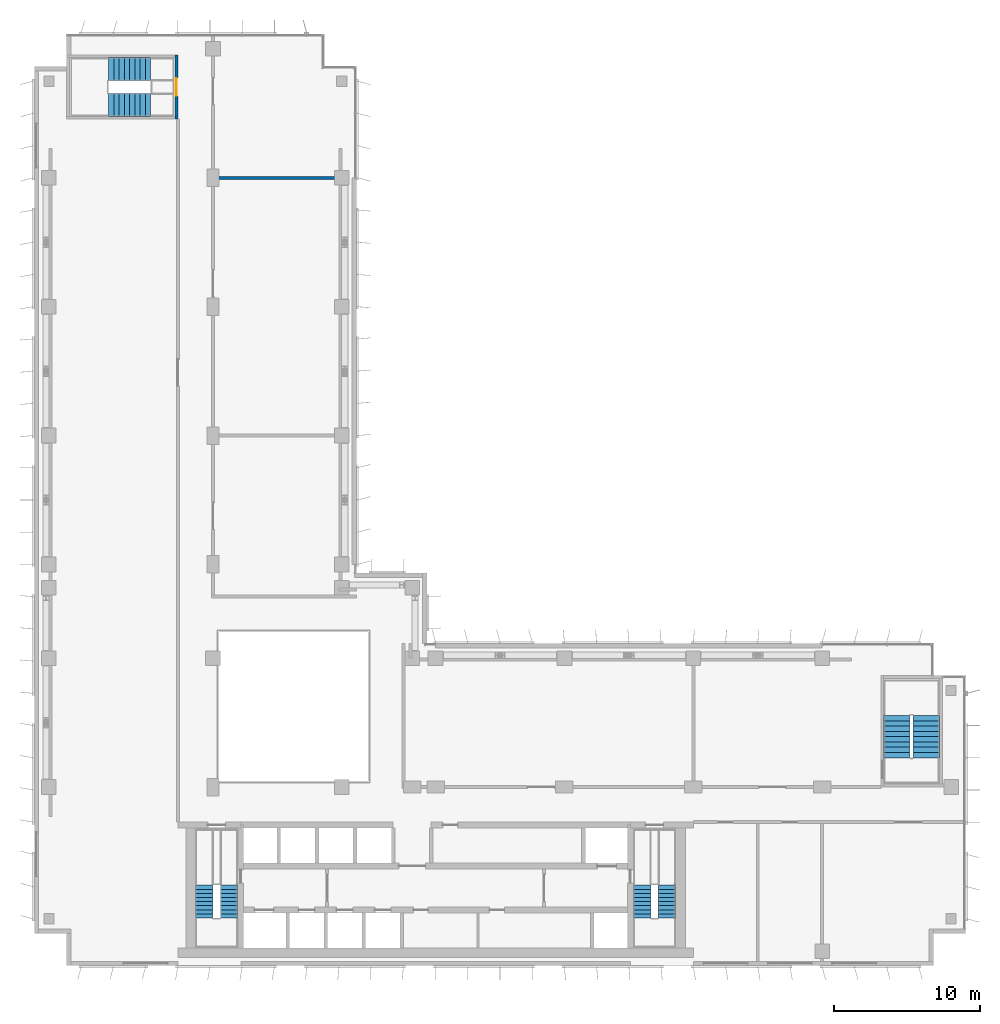
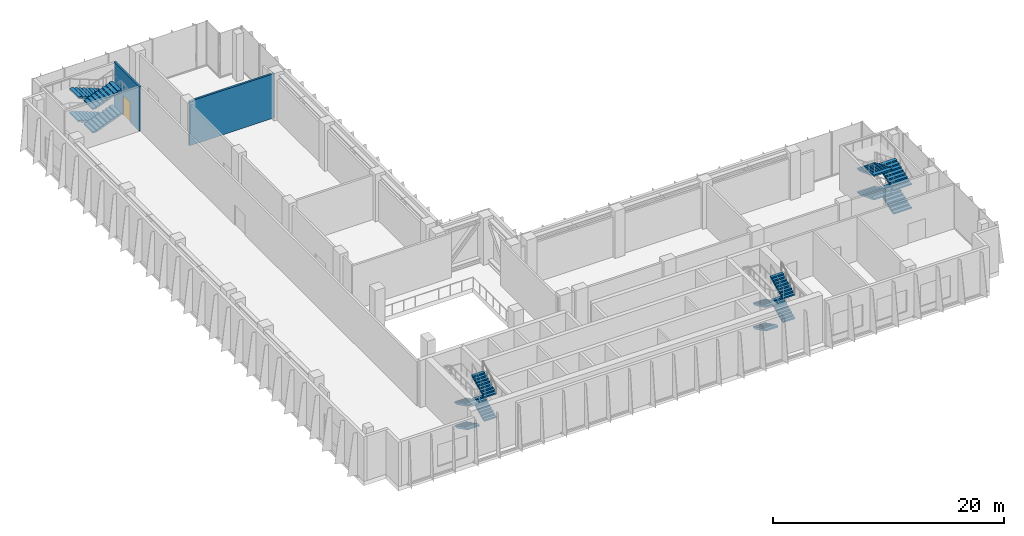
# One storey, part 13 of 17: 16 stair flights, 2 walls, 1 door, 1 opening, 4 elements without a shape of their own.
"""IFC4 building model written with IfcOpenShell, lengths in metres."""

from ifc_helpers import new_model, si_unit, direction, frame, frame_2d, origin, place, context, subcontext, project, spatial, polyline, rectangle, outline, extrude, material, layer, layer_set, type_object, element, fill, aggregate, save


model = new_model("IFC4")

# Units and contexts
model_context = context("Model", 3, precision=1e-05, world=origin(), true_north=direction((0.0, 1.0)))
body_context = subcontext(model_context, "Body", "Model", "MODEL_VIEW")
ifc_project = project(units=[si_unit("LENGTHUNIT", "METRE"), si_unit("AREAUNIT", "SQUARE_METRE"), si_unit("VOLUMEUNIT", "CUBIC_METRE"), si_unit("PLANEANGLEUNIT", "RADIAN"), si_unit("MASSUNIT", "GRAM", prefix="KILO")], contexts=[model_context])

# Site, building, storey
site_placement = place(None, origin())
site = spatial("IfcSite", under=ifc_project, at=site_placement, CompositionType="ELEMENT")
building_placement = place(site_placement, origin())
building = spatial("IfcBuilding", under=site, at=building_placement, Name="Kemantara Hotel Tower", CompositionType="ELEMENT")
storey_placement = place(building_placement, frame((0.0, 0.0, 193.800048828125)))
storey = spatial("IfcBuildingStorey", under=building, at=storey_placement, Name="L48", CompositionType="ELEMENT", Elevation=193.800048828125)

# Wall, opening, door
ifc_material_1 = material(Name="Concrete fc 40 MPa", Category="concrete")
ifc_layer_1 = layer(ifc_material_1, 0.199951171875)
ifc_layer_set_1 = layer_set([ifc_layer_1], Name="Concrete fc 40 MPa")
wall_type_1 = type_object("IfcWallType", Name="Concrete stair wall 200 mm", PredefinedType="SHEAR", material=ifc_layer_set_1)
wall_1_placement = place(storey_placement, frame((9.699951171875, 57.800048828125, 0.0), z_axis=(0.0, 0.0, 1.0), x_axis=(0.0, 1.0, 0.0)))
wall_1 = element("IfcWall", 1, at=wall_1_placement, inside=storey, type_object=wall_type_1, Name="Stair ST4 enclosure wall with door", PredefinedType="SHEAR", context=body_context, shape_type="SweptSolid", body=[
    extrude(rectangle(XDim=4.39990234375, YDim=0.199951171875, at=frame_2d((2.199951171875, 0.0))), origin(), (0.0, 0.0, 1.0), 4.699951171875),
])
opening_placement = place(wall_1_placement, frame((1.60009765625, 0.0, 0.0)))
opening = element("IfcOpeningElement", 2, at=opening_placement, cuts=wall_1, Name="Opening ST4-C", PredefinedType="OPENING", context=body_context, shape_type="SweptSolid", body=[
    extrude(rectangle(XDim=1.199951171875, YDim=2.10009765625, at=frame_2d((0.60009765625, 1.050048828125))), frame((0.0, 0.10986328125, 0.0), z_axis=(0.0, -1.0, 0.0), x_axis=(1.0, 0.0, 0.0)), (0.0, 0.0, 1.0), 0.219970703125),
])
ifc_material_2 = material(Name="Steel fire door", Category="steel")
door_type = type_object("IfcDoorType", Name="Fire door FD90 1200 x 2100", OperationType="NOTDEFINED", PredefinedType="DOOR", material=ifc_material_2)
door_placement = place(opening_placement, origin())
door = element("IfcDoor", 3, at=door_placement, inside=storey, type_object=door_type, Name="Stair ST4 door", OperationType="SINGLE_SWING_RIGHT", OverallHeight=2.10009765625, OverallWidth=1.199951171875, PredefinedType="DOOR", context=body_context, shape_type="SweptSolid", body=[
    extrude(rectangle(XDim=1.199951171875, YDim=2.10009765625, at=frame_2d((0.60009765625, 1.050048828125))), frame((0.0, 0.02490234375, 0.0), z_axis=(0.0, -1.0, 0.0), x_axis=(1.0, 0.0, 0.0)), (0.0, 0.0, 1.0), 0.050048828125),
])
fill(opening, door)

# Wall
ifc_material_3 = material(Name="Clay brick masonry", Category="masonry")
ifc_layer_2 = layer(ifc_material_3, 0.199951171875)
ifc_layer_set_2 = layer_set([ifc_layer_2], Name="Clay brick masonry")
wall_type_2 = type_object("IfcWallType", Name="FIRE-RATED CLAY BRICK WALL 200 EI 120", PredefinedType="PARTITIONING", material=ifc_layer_set_2)
wall_2_placement = place(storey_placement, frame((12.300048828125, 53.800048828125, 0.0), z_axis=(0.0, 0.0, 1.0), x_axis=(1.0, 0.0, 0.0)))
element("IfcWall", 4, at=wall_2_placement, inside=storey, type_object=wall_type_2, Name="FIRE WALL", PredefinedType="PARTITIONING", context=body_context, shape_type="SweptSolid", body=[
    extrude(rectangle(XDim=8.5, YDim=0.199951171875, at=frame_2d((4.25, 0.0))), origin(), (0.0, 0.0, 1.0), 4.699951171875),
])

# Stair, stair flights
stair_type_1 = type_object("IfcStairType", Name="Stair 1200 wide 36 risers of 139 x 280 mm", PredefinedType="HALF_TURN_STAIR", material=ifc_material_1)
stair_1_placement = place(storey_placement, origin())
stair_1 = element("IfcStair", 5, at=stair_1_placement, inside=storey, type_object=stair_type_1, Name="L48 Exit stair ST1", PredefinedType="HALF_TURN_STAIR")
stair_flight_type_1 = type_object("IfcStairFlightType", Name="Stair flight 1200 wide 139 x 280 mm", PredefinedType="STRAIGHT", material=ifc_material_1)
stair_flight_1_placement = place(storey_placement, frame((11.60009765625, 5.5, 0.0), z_axis=(0.0, 0.0, 1.0), x_axis=(0.0, -1.0, 0.0)))
stair_flight_1 = element("IfcStairFlight", 6, at=stair_flight_1_placement, type_object=stair_flight_type_1, Name="ST1 flight 1", NumberOfRisers=9, NumberOfTreads=8, PredefinedType="STRAIGHT", RiserHeight=0.138888889, TreadLength=0.28, context=body_context, shape_type="SweptSolid", body=[
    extrude(outline(polyline([(0.0, 0.0), (0.0, 0.138916015625), (0.280029296875, 0.138916015625), (0.280029296875, 0.27783203125), (0.56005859375, 0.27783203125), (0.56005859375, 0.416748046875), (0.840087890625, 0.416748046875), (0.840087890625, 0.5556640625), (1.1201171875, 0.5556640625), (1.1201171875, 0.6943359375), (1.39990234375, 0.6943359375), (1.39990234375, 0.833251953125), (1.679931640625, 0.833251953125), (1.679931640625, 0.97216796875), (1.9599609375, 0.97216796875), (1.9599609375, 1.111083984375), (2.239990234375, 1.111083984375), (2.239990234375, 1.25), (2.239990234375, 0.94384765625), (0.33740234375, 0.0), (0.0, 0.0)])), frame((0.0, 0.60009765625, 0.0), z_axis=(0.0, -1.0, 0.0), x_axis=(1.0, 0.0, 0.0)), (0.0, 0.0, 1.0), 1.199951171875),
])
stair_flight_2_placement = place(storey_placement, frame((13.300048828125, 3.260009765625, 1.25), z_axis=(0.0, 0.0, 1.0), x_axis=(0.0, 1.0, 0.0)))
stair_flight_2 = element("IfcStairFlight", 7, at=stair_flight_2_placement, type_object=stair_flight_type_1, Name="ST1 flight 2", NumberOfRisers=9, NumberOfTreads=8, PredefinedType="STRAIGHT", RiserHeight=0.138888889, TreadLength=0.28, context=body_context, shape_type="SweptSolid", body=[
    extrude(outline(polyline([(0.0, 0.0), (0.0, 0.138916015625), (0.280029296875, 0.138916015625), (0.280029296875, 0.27783203125), (0.56005859375, 0.27783203125), (0.56005859375, 0.416748046875), (0.840087890625, 0.416748046875), (0.840087890625, 0.5556640625), (1.1201171875, 0.5556640625), (1.1201171875, 0.6943359375), (1.39990234375, 0.6943359375), (1.39990234375, 0.833251953125), (1.679931640625, 0.833251953125), (1.679931640625, 0.97216796875), (1.9599609375, 0.97216796875), (1.9599609375, 1.111083984375), (2.239990234375, 1.111083984375), (2.239990234375, 1.25), (2.239990234375, 0.94384765625), (0.33740234375, 0.0), (0.0, 0.0)])), frame((0.0, 0.60009765625, 0.0), z_axis=(0.0, -1.0, 0.0), x_axis=(1.0, 0.0, 0.0)), (0.0, 0.0, 1.0), 1.199951171875),
])
stair_flight_3_placement = place(storey_placement, frame((11.60009765625, 5.5, 2.5), z_axis=(0.0, 0.0, 1.0), x_axis=(0.0, -1.0, 0.0)))
stair_flight_3 = element("IfcStairFlight", 8, at=stair_flight_3_placement, type_object=stair_flight_type_1, Name="ST1 flight 3", NumberOfRisers=9, NumberOfTreads=8, PredefinedType="STRAIGHT", RiserHeight=0.138888889, TreadLength=0.28, context=body_context, shape_type="SweptSolid", body=[
    extrude(outline(polyline([(0.0, 0.0), (0.0, 0.138916015625), (0.280029296875, 0.138916015625), (0.280029296875, 0.27783203125), (0.56005859375, 0.27783203125), (0.56005859375, 0.416748046875), (0.840087890625, 0.416748046875), (0.840087890625, 0.5556640625), (1.1201171875, 0.5556640625), (1.1201171875, 0.6943359375), (1.39990234375, 0.6943359375), (1.39990234375, 0.833251953125), (1.679931640625, 0.833251953125), (1.679931640625, 0.97216796875), (1.9599609375, 0.97216796875), (1.9599609375, 1.111083984375), (2.239990234375, 1.111083984375), (2.239990234375, 1.25), (2.239990234375, 0.94384765625), (0.33740234375, 0.0), (0.0, 0.0)])), frame((0.0, 0.60009765625, 0.0), z_axis=(0.0, -1.0, 0.0), x_axis=(1.0, 0.0, 0.0)), (0.0, 0.0, 1.0), 1.199951171875),
])
stair_flight_4_placement = place(storey_placement, frame((13.300048828125, 3.260009765625, 3.75), z_axis=(0.0, 0.0, 1.0), x_axis=(0.0, 1.0, 0.0)))
stair_flight_4 = element("IfcStairFlight", 9, at=stair_flight_4_placement, type_object=stair_flight_type_1, Name="ST1 flight 4", NumberOfRisers=9, NumberOfTreads=8, PredefinedType="STRAIGHT", RiserHeight=0.138888889, TreadLength=0.28, context=body_context, shape_type="SweptSolid", body=[
    extrude(outline(polyline([(0.0, 0.0), (0.0, 0.138916015625), (0.280029296875, 0.138916015625), (0.280029296875, 0.27783203125), (0.56005859375, 0.27783203125), (0.56005859375, 0.416748046875), (0.840087890625, 0.416748046875), (0.840087890625, 0.5556640625), (1.1201171875, 0.5556640625), (1.1201171875, 0.6943359375), (1.39990234375, 0.6943359375), (1.39990234375, 0.833251953125), (1.679931640625, 0.833251953125), (1.679931640625, 0.97216796875), (1.9599609375, 0.97216796875), (1.9599609375, 1.111083984375), (2.239990234375, 1.111083984375), (2.239990234375, 1.25), (2.239990234375, 0.94384765625), (0.33740234375, 0.0), (0.0, 0.0)])), frame((0.0, 0.60009765625, 0.0), z_axis=(0.0, -1.0, 0.0), x_axis=(1.0, 0.0, 0.0)), (0.0, 0.0, 1.0), 1.199951171875),
])
aggregate(stair_1, [stair_flight_1, stair_flight_2, stair_flight_3, stair_flight_4])

stair_2_placement = place(storey_placement, origin())
stair_2 = element("IfcStair", 10, at=stair_2_placement, inside=storey, type_object=stair_type_1, Name="L48 Exit stair ST2", PredefinedType="HALF_TURN_STAIR")
stair_flight_5_placement = place(storey_placement, frame((41.5, 5.5, 0.0), z_axis=(0.0, 0.0, 1.0), x_axis=(0.0, -1.0, 0.0)))
stair_flight_5 = element("IfcStairFlight", 11, at=stair_flight_5_placement, type_object=stair_flight_type_1, Name="ST2 flight 1", NumberOfRisers=9, NumberOfTreads=8, PredefinedType="STRAIGHT", RiserHeight=0.138888889, TreadLength=0.28, context=body_context, shape_type="SweptSolid", body=[
    extrude(outline(polyline([(0.0, 0.0), (0.0, 0.138916015625), (0.280029296875, 0.138916015625), (0.280029296875, 0.27783203125), (0.56005859375, 0.27783203125), (0.56005859375, 0.416748046875), (0.840087890625, 0.416748046875), (0.840087890625, 0.5556640625), (1.1201171875, 0.5556640625), (1.1201171875, 0.6943359375), (1.39990234375, 0.6943359375), (1.39990234375, 0.833251953125), (1.679931640625, 0.833251953125), (1.679931640625, 0.97216796875), (1.9599609375, 0.97216796875), (1.9599609375, 1.111083984375), (2.239990234375, 1.111083984375), (2.239990234375, 1.25), (2.239990234375, 0.94384765625), (0.33740234375, 0.0), (0.0, 0.0)])), frame((0.0, 0.60009765625, 0.0), z_axis=(0.0, -1.0, 0.0), x_axis=(1.0, 0.0, 0.0)), (0.0, 0.0, 1.0), 1.199951171875),
])
stair_flight_6_placement = place(storey_placement, frame((43.199951171875, 3.260009765625, 1.25), z_axis=(0.0, 0.0, 1.0), x_axis=(0.0, 1.0, 0.0)))
stair_flight_6 = element("IfcStairFlight", 12, at=stair_flight_6_placement, type_object=stair_flight_type_1, Name="ST2 flight 2", NumberOfRisers=9, NumberOfTreads=8, PredefinedType="STRAIGHT", RiserHeight=0.138888889, TreadLength=0.28, context=body_context, shape_type="SweptSolid", body=[
    extrude(outline(polyline([(0.0, 0.0), (0.0, 0.138916015625), (0.280029296875, 0.138916015625), (0.280029296875, 0.27783203125), (0.56005859375, 0.27783203125), (0.56005859375, 0.416748046875), (0.840087890625, 0.416748046875), (0.840087890625, 0.5556640625), (1.1201171875, 0.5556640625), (1.1201171875, 0.6943359375), (1.39990234375, 0.6943359375), (1.39990234375, 0.833251953125), (1.679931640625, 0.833251953125), (1.679931640625, 0.97216796875), (1.9599609375, 0.97216796875), (1.9599609375, 1.111083984375), (2.239990234375, 1.111083984375), (2.239990234375, 1.25), (2.239990234375, 0.94384765625), (0.33740234375, 0.0), (0.0, 0.0)])), frame((0.0, 0.60009765625, 0.0), z_axis=(0.0, -1.0, 0.0), x_axis=(1.0, 0.0, 0.0)), (0.0, 0.0, 1.0), 1.199951171875),
])
stair_flight_7_placement = place(storey_placement, frame((41.5, 5.5, 2.5), z_axis=(0.0, 0.0, 1.0), x_axis=(0.0, -1.0, 0.0)))
stair_flight_7 = element("IfcStairFlight", 13, at=stair_flight_7_placement, type_object=stair_flight_type_1, Name="ST2 flight 3", NumberOfRisers=9, NumberOfTreads=8, PredefinedType="STRAIGHT", RiserHeight=0.138888889, TreadLength=0.28, context=body_context, shape_type="SweptSolid", body=[
    extrude(outline(polyline([(0.0, 0.0), (0.0, 0.138916015625), (0.280029296875, 0.138916015625), (0.280029296875, 0.27783203125), (0.56005859375, 0.27783203125), (0.56005859375, 0.416748046875), (0.840087890625, 0.416748046875), (0.840087890625, 0.5556640625), (1.1201171875, 0.5556640625), (1.1201171875, 0.6943359375), (1.39990234375, 0.6943359375), (1.39990234375, 0.833251953125), (1.679931640625, 0.833251953125), (1.679931640625, 0.97216796875), (1.9599609375, 0.97216796875), (1.9599609375, 1.111083984375), (2.239990234375, 1.111083984375), (2.239990234375, 1.25), (2.239990234375, 0.94384765625), (0.33740234375, 0.0), (0.0, 0.0)])), frame((0.0, 0.60009765625, 0.0), z_axis=(0.0, -1.0, 0.0), x_axis=(1.0, 0.0, 0.0)), (0.0, 0.0, 1.0), 1.199951171875),
])
stair_flight_8_placement = place(storey_placement, frame((43.199951171875, 3.260009765625, 3.75), z_axis=(0.0, 0.0, 1.0), x_axis=(0.0, 1.0, 0.0)))
stair_flight_8 = element("IfcStairFlight", 14, at=stair_flight_8_placement, type_object=stair_flight_type_1, Name="ST2 flight 4", NumberOfRisers=9, NumberOfTreads=8, PredefinedType="STRAIGHT", RiserHeight=0.138888889, TreadLength=0.28, context=body_context, shape_type="SweptSolid", body=[
    extrude(outline(polyline([(0.0, 0.0), (0.0, 0.138916015625), (0.280029296875, 0.138916015625), (0.280029296875, 0.27783203125), (0.56005859375, 0.27783203125), (0.56005859375, 0.416748046875), (0.840087890625, 0.416748046875), (0.840087890625, 0.5556640625), (1.1201171875, 0.5556640625), (1.1201171875, 0.6943359375), (1.39990234375, 0.6943359375), (1.39990234375, 0.833251953125), (1.679931640625, 0.833251953125), (1.679931640625, 0.97216796875), (1.9599609375, 0.97216796875), (1.9599609375, 1.111083984375), (2.239990234375, 1.111083984375), (2.239990234375, 1.25), (2.239990234375, 0.94384765625), (0.33740234375, 0.0), (0.0, 0.0)])), frame((0.0, 0.60009765625, 0.0), z_axis=(0.0, -1.0, 0.0), x_axis=(1.0, 0.0, 0.0)), (0.0, 0.0, 1.0), 1.199951171875),
])
aggregate(stair_2, [stair_flight_5, stair_flight_6, stair_flight_7, stair_flight_8])

stair_type_2 = type_object("IfcStairType", Name="Stair 1550 wide 36 risers of 139 x 360 mm", PredefinedType="HALF_TURN_STAIR", material=ifc_material_1)
stair_3_placement = place(storey_placement, origin())
stair_3 = element("IfcStair", 15, at=stair_3_placement, inside=storey, type_object=stair_type_2, Name="L48 Exit stair ST4", PredefinedType="HALF_TURN_STAIR")
stair_flight_type_2 = type_object("IfcStairFlightType", Name="Stair flight 1550 wide 139 x 360 mm", PredefinedType="STRAIGHT", material=ifc_material_1)
stair_flight_9_placement = place(storey_placement, frame((7.949951171875, 61.22509765625, 0.0), z_axis=(0.0, 0.0, 1.0), x_axis=(-1.0, 0.0, 0.0)))
stair_flight_9 = element("IfcStairFlight", 16, at=stair_flight_9_placement, type_object=stair_flight_type_2, Name="ST4 flight 1", NumberOfRisers=9, NumberOfTreads=8, PredefinedType="STRAIGHT", RiserHeight=0.138888889, TreadLength=0.36, context=body_context, shape_type="SweptSolid", body=[
    extrude(outline(polyline([(0.0, 0.0), (0.0, 0.138916015625), (0.360107421875, 0.138916015625), (0.360107421875, 0.27783203125), (0.719970703125, 0.27783203125), (0.719970703125, 0.416748046875), (1.080078125, 0.416748046875), (1.080078125, 0.5556640625), (1.43994140625, 0.5556640625), (1.43994140625, 0.6943359375), (1.800048828125, 0.6943359375), (1.800048828125, 0.833251953125), (2.159912109375, 0.833251953125), (2.159912109375, 0.97216796875), (2.52001953125, 0.97216796875), (2.52001953125, 1.111083984375), (2.8798828125, 1.111083984375), (2.8798828125, 1.25), (2.8798828125, 0.950439453125), (0.41650390625, 0.0), (0.0, 0.0)])), frame((0.0, 0.77490234375, 0.0), z_axis=(0.0, -1.0, 0.0), x_axis=(1.0, 0.0, 0.0)), (0.0, 0.0, 1.0), 1.550048828125),
])
stair_flight_10_placement = place(storey_placement, frame((5.070068359375, 58.77490234375, 1.25), z_axis=(0.0, 0.0, 1.0), x_axis=(1.0, 0.0, 0.0)))
stair_flight_10 = element("IfcStairFlight", 17, at=stair_flight_10_placement, type_object=stair_flight_type_2, Name="ST4 flight 2", NumberOfRisers=9, NumberOfTreads=8, PredefinedType="STRAIGHT", RiserHeight=0.138888889, TreadLength=0.36, context=body_context, shape_type="SweptSolid", body=[
    extrude(outline(polyline([(0.0, 0.0), (0.0, 0.138916015625), (0.360107421875, 0.138916015625), (0.360107421875, 0.27783203125), (0.719970703125, 0.27783203125), (0.719970703125, 0.416748046875), (1.080078125, 0.416748046875), (1.080078125, 0.5556640625), (1.43994140625, 0.5556640625), (1.43994140625, 0.6943359375), (1.800048828125, 0.6943359375), (1.800048828125, 0.833251953125), (2.159912109375, 0.833251953125), (2.159912109375, 0.97216796875), (2.52001953125, 0.97216796875), (2.52001953125, 1.111083984375), (2.8798828125, 1.111083984375), (2.8798828125, 1.25), (2.8798828125, 0.950439453125), (0.41650390625, 0.0), (0.0, 0.0)])), frame((0.0, 0.77490234375, 0.0), z_axis=(0.0, -1.0, 0.0), x_axis=(1.0, 0.0, 0.0)), (0.0, 0.0, 1.0), 1.550048828125),
])
stair_flight_11_placement = place(storey_placement, frame((7.949951171875, 61.22509765625, 2.5), z_axis=(0.0, 0.0, 1.0), x_axis=(-1.0, 0.0, 0.0)))
stair_flight_11 = element("IfcStairFlight", 18, at=stair_flight_11_placement, type_object=stair_flight_type_2, Name="ST4 flight 3", NumberOfRisers=9, NumberOfTreads=8, PredefinedType="STRAIGHT", RiserHeight=0.138888889, TreadLength=0.36, context=body_context, shape_type="SweptSolid", body=[
    extrude(outline(polyline([(0.0, 0.0), (0.0, 0.138916015625), (0.360107421875, 0.138916015625), (0.360107421875, 0.27783203125), (0.719970703125, 0.27783203125), (0.719970703125, 0.416748046875), (1.080078125, 0.416748046875), (1.080078125, 0.5556640625), (1.43994140625, 0.5556640625), (1.43994140625, 0.6943359375), (1.800048828125, 0.6943359375), (1.800048828125, 0.833251953125), (2.159912109375, 0.833251953125), (2.159912109375, 0.97216796875), (2.52001953125, 0.97216796875), (2.52001953125, 1.111083984375), (2.8798828125, 1.111083984375), (2.8798828125, 1.25), (2.8798828125, 0.950439453125), (0.41650390625, 0.0), (0.0, 0.0)])), frame((0.0, 0.77490234375, 0.0), z_axis=(0.0, -1.0, 0.0), x_axis=(1.0, 0.0, 0.0)), (0.0, 0.0, 1.0), 1.550048828125),
])
stair_flight_12_placement = place(storey_placement, frame((5.070068359375, 58.77490234375, 3.75), z_axis=(0.0, 0.0, 1.0), x_axis=(1.0, 0.0, 0.0)))
stair_flight_12 = element("IfcStairFlight", 19, at=stair_flight_12_placement, type_object=stair_flight_type_2, Name="ST4 flight 4", NumberOfRisers=9, NumberOfTreads=8, PredefinedType="STRAIGHT", RiserHeight=0.138888889, TreadLength=0.36, context=body_context, shape_type="SweptSolid", body=[
    extrude(outline(polyline([(0.0, 0.0), (0.0, 0.138916015625), (0.360107421875, 0.138916015625), (0.360107421875, 0.27783203125), (0.719970703125, 0.27783203125), (0.719970703125, 0.416748046875), (1.080078125, 0.416748046875), (1.080078125, 0.5556640625), (1.43994140625, 0.5556640625), (1.43994140625, 0.6943359375), (1.800048828125, 0.6943359375), (1.800048828125, 0.833251953125), (2.159912109375, 0.833251953125), (2.159912109375, 0.97216796875), (2.52001953125, 0.97216796875), (2.52001953125, 1.111083984375), (2.8798828125, 1.111083984375), (2.8798828125, 1.25), (2.8798828125, 0.950439453125), (0.41650390625, 0.0), (0.0, 0.0)])), frame((0.0, 0.77490234375, 0.0), z_axis=(0.0, -1.0, 0.0), x_axis=(1.0, 0.0, 0.0)), (0.0, 0.0, 1.0), 1.550048828125),
])
aggregate(stair_3, [stair_flight_9, stair_flight_10, stair_flight_11, stair_flight_12])

stair_type_3 = type_object("IfcStairType", Name="Stair 1800 wide 36 risers of 139 x 360 mm", PredefinedType="HALF_TURN_STAIR", material=ifc_material_1)
stair_4_placement = place(storey_placement, origin())
stair_4 = element("IfcStair", 20, at=stair_4_placement, inside=storey, type_object=stair_type_3, Name="L48 Exit stair ST3", PredefinedType="HALF_TURN_STAIR")
stair_flight_type_3 = type_object("IfcStairFlightType", Name="Stair flight 1800 wide 139 x 360 mm", PredefinedType="STRAIGHT", material=ifc_material_1)
stair_flight_13_placement = place(storey_placement, frame((60.89990234375, 14.199951171875, 0.0), z_axis=(0.0, 0.0, 1.0), x_axis=(0.0, 1.0, 0.0)))
stair_flight_13 = element("IfcStairFlight", 21, at=stair_flight_13_placement, type_object=stair_flight_type_3, Name="ST3 flight 1", NumberOfRisers=9, NumberOfTreads=8, PredefinedType="STRAIGHT", RiserHeight=0.138888889, TreadLength=0.36, context=body_context, shape_type="SweptSolid", body=[
    extrude(outline(polyline([(0.0, 0.0), (0.0, 0.138916015625), (0.360107421875, 0.138916015625), (0.360107421875, 0.27783203125), (0.719970703125, 0.27783203125), (0.719970703125, 0.416748046875), (1.080078125, 0.416748046875), (1.080078125, 0.5556640625), (1.43994140625, 0.5556640625), (1.43994140625, 0.6943359375), (1.800048828125, 0.6943359375), (1.800048828125, 0.833251953125), (2.159912109375, 0.833251953125), (2.159912109375, 0.97216796875), (2.52001953125, 0.97216796875), (2.52001953125, 1.111083984375), (2.8798828125, 1.111083984375), (2.8798828125, 1.25), (2.8798828125, 0.950439453125), (0.41650390625, 0.0), (0.0, 0.0)])), frame((0.0, 0.89990234375, 0.0), z_axis=(0.0, -1.0, 0.0), x_axis=(1.0, 0.0, 0.0)), (0.0, 0.0, 1.0), 1.800048828125),
])
stair_flight_14_placement = place(storey_placement, frame((58.89990234375, 17.080078125, 1.25), z_axis=(0.0, 0.0, 1.0), x_axis=(0.0, -1.0, 0.0)))
stair_flight_14 = element("IfcStairFlight", 22, at=stair_flight_14_placement, type_object=stair_flight_type_3, Name="ST3 flight 2", NumberOfRisers=9, NumberOfTreads=8, PredefinedType="STRAIGHT", RiserHeight=0.138888889, TreadLength=0.36, context=body_context, shape_type="SweptSolid", body=[
    extrude(outline(polyline([(0.0, 0.0), (0.0, 0.138916015625), (0.360107421875, 0.138916015625), (0.360107421875, 0.27783203125), (0.719970703125, 0.27783203125), (0.719970703125, 0.416748046875), (1.080078125, 0.416748046875), (1.080078125, 0.5556640625), (1.43994140625, 0.5556640625), (1.43994140625, 0.6943359375), (1.800048828125, 0.6943359375), (1.800048828125, 0.833251953125), (2.159912109375, 0.833251953125), (2.159912109375, 0.97216796875), (2.52001953125, 0.97216796875), (2.52001953125, 1.111083984375), (2.8798828125, 1.111083984375), (2.8798828125, 1.25), (2.8798828125, 0.950439453125), (0.41650390625, 0.0), (0.0, 0.0)])), frame((0.0, 0.89990234375, 0.0), z_axis=(0.0, -1.0, 0.0), x_axis=(1.0, 0.0, 0.0)), (0.0, 0.0, 1.0), 1.800048828125),
])
stair_flight_15_placement = place(storey_placement, frame((60.89990234375, 14.199951171875, 2.5), z_axis=(0.0, 0.0, 1.0), x_axis=(0.0, 1.0, 0.0)))
stair_flight_15 = element("IfcStairFlight", 23, at=stair_flight_15_placement, type_object=stair_flight_type_3, Name="ST3 flight 3", NumberOfRisers=9, NumberOfTreads=8, PredefinedType="STRAIGHT", RiserHeight=0.138888889, TreadLength=0.36, context=body_context, shape_type="SweptSolid", body=[
    extrude(outline(polyline([(0.0, 0.0), (0.0, 0.138916015625), (0.360107421875, 0.138916015625), (0.360107421875, 0.27783203125), (0.719970703125, 0.27783203125), (0.719970703125, 0.416748046875), (1.080078125, 0.416748046875), (1.080078125, 0.5556640625), (1.43994140625, 0.5556640625), (1.43994140625, 0.6943359375), (1.800048828125, 0.6943359375), (1.800048828125, 0.833251953125), (2.159912109375, 0.833251953125), (2.159912109375, 0.97216796875), (2.52001953125, 0.97216796875), (2.52001953125, 1.111083984375), (2.8798828125, 1.111083984375), (2.8798828125, 1.25), (2.8798828125, 0.950439453125), (0.41650390625, 0.0), (0.0, 0.0)])), frame((0.0, 0.89990234375, 0.0), z_axis=(0.0, -1.0, 0.0), x_axis=(1.0, 0.0, 0.0)), (0.0, 0.0, 1.0), 1.800048828125),
])
stair_flight_16_placement = place(storey_placement, frame((58.89990234375, 17.080078125, 3.75), z_axis=(0.0, 0.0, 1.0), x_axis=(0.0, -1.0, 0.0)))
stair_flight_16 = element("IfcStairFlight", 24, at=stair_flight_16_placement, type_object=stair_flight_type_3, Name="ST3 flight 4", NumberOfRisers=9, NumberOfTreads=8, PredefinedType="STRAIGHT", RiserHeight=0.138888889, TreadLength=0.36, context=body_context, shape_type="SweptSolid", body=[
    extrude(outline(polyline([(0.0, 0.0), (0.0, 0.138916015625), (0.360107421875, 0.138916015625), (0.360107421875, 0.27783203125), (0.719970703125, 0.27783203125), (0.719970703125, 0.416748046875), (1.080078125, 0.416748046875), (1.080078125, 0.5556640625), (1.43994140625, 0.5556640625), (1.43994140625, 0.6943359375), (1.800048828125, 0.6943359375), (1.800048828125, 0.833251953125), (2.159912109375, 0.833251953125), (2.159912109375, 0.97216796875), (2.52001953125, 0.97216796875), (2.52001953125, 1.111083984375), (2.8798828125, 1.111083984375), (2.8798828125, 1.25), (2.8798828125, 0.950439453125), (0.41650390625, 0.0), (0.0, 0.0)])), frame((0.0, 0.89990234375, 0.0), z_axis=(0.0, -1.0, 0.0), x_axis=(1.0, 0.0, 0.0)), (0.0, 0.0, 1.0), 1.800048828125),
])
aggregate(stair_4, [stair_flight_13, stair_flight_14, stair_flight_15, stair_flight_16])

save(model, "model.ifc")
